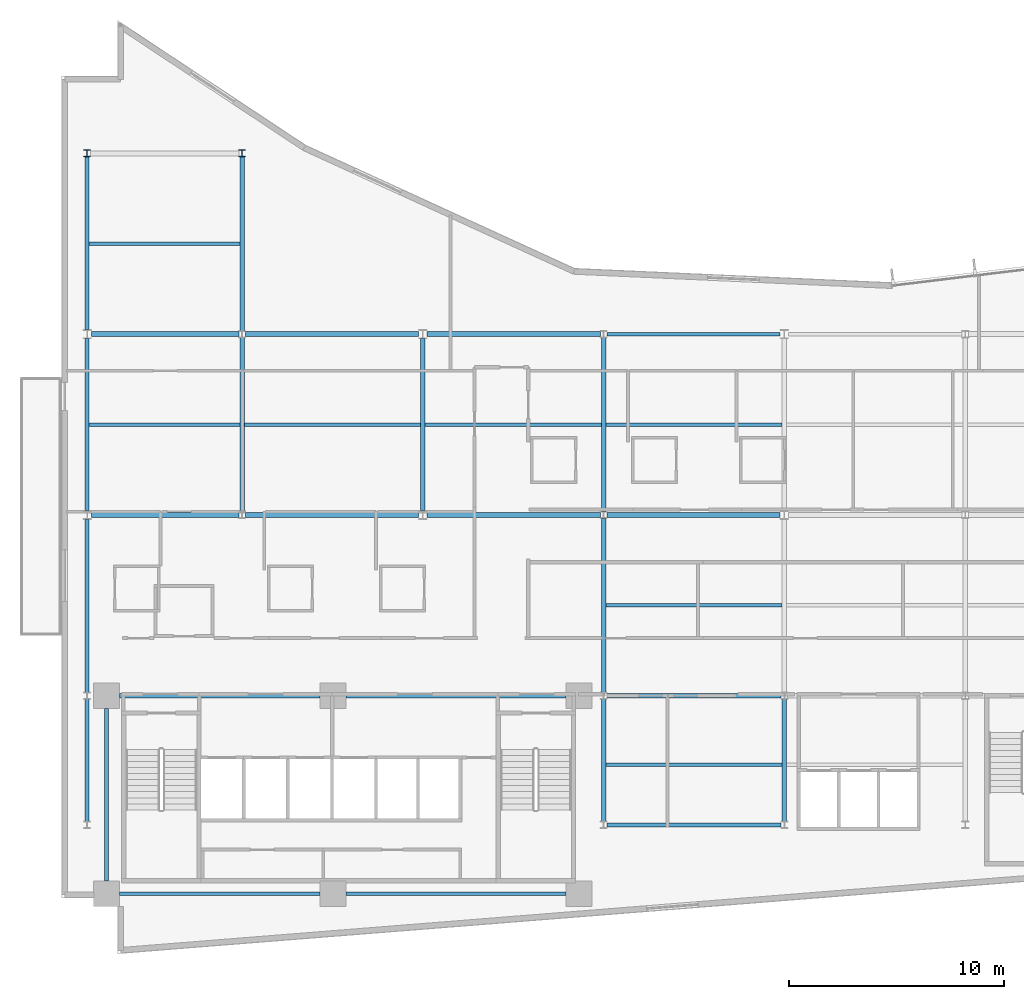
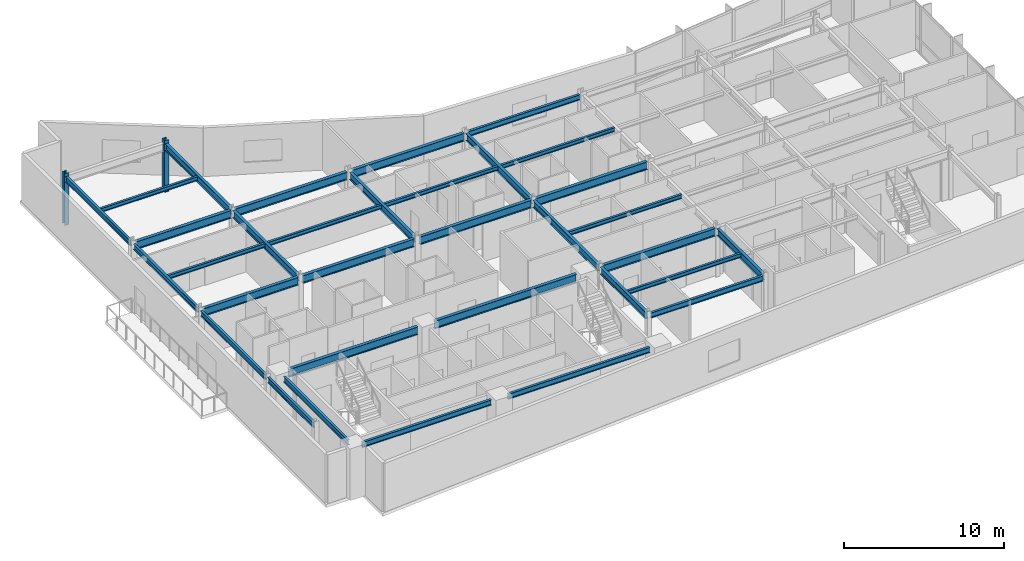
# One storey, part 3 of 18: 33 beams, 2 columns.
"""IFC4 building model written with IfcOpenShell, lengths in metres."""

from ifc_helpers import new_model, si_unit, direction, frame, origin, origin_2d, place, context, subcontext, project, spatial, i_section, extrude, material, material_profile, profile_set, type_object, element, save


model = new_model("IFC4")

# Units and contexts
model_context = context("Model", 3, precision=1e-05, world=origin(), true_north=direction((0.0, 1.0)))
body_context = subcontext(model_context, "Body", "Model", "MODEL_VIEW")
ifc_project = project(units=[si_unit("LENGTHUNIT", "METRE"), si_unit("AREAUNIT", "SQUARE_METRE"), si_unit("VOLUMEUNIT", "CUBIC_METRE"), si_unit("PLANEANGLEUNIT", "RADIAN"), si_unit("MASSUNIT", "GRAM", prefix="KILO")], contexts=[model_context])

# Site, building, storey
site_placement = place(None, origin())
site = spatial("IfcSite", under=ifc_project, at=site_placement, CompositionType="ELEMENT")
building_placement = place(site_placement, origin())
building = spatial("IfcBuilding", under=site, at=building_placement, Name="Varnakote Quay Hospital", CompositionType="ELEMENT")
storey_placement = place(building_placement, frame((0.0, 0.0, 123.10009765625)))
storey = spatial("IfcBuildingStorey", under=building, at=storey_placement, Name="L30", CompositionType="ELEMENT", Elevation=123.10009765625)

# Columns
ifc_material_1 = material(Name="Structural steel AS/NZS 3679.1 Grade 350 L0 (fy 340 MPa)", Category="steel")
ifc_material_profile_1 = material_profile(ifc_material_1, i_section(OverallWidth=0.30908203125, OverallDepth=0.321044921875, WebThickness=0.013916015625, FlangeThickness=0.021728515625, FilletRadius=0.0166015625, at=origin_2d()), Name="310UC137")
ifc_profile_set_1 = profile_set([ifc_material_profile_1], Name="Structural steel AS/NZS 3679.1 Grade 350 L0 (fy 340 MPa)")
column_type = type_object("IfcColumnType", Name="COL-STL-310UC137", PredefinedType="COLUMN", material=ifc_profile_set_1)
for number, where, z_axis, x_axis, name in (
    (1, (1.199951171875, 37.199951171875, 0.0), (0.0, 0.0, 1.0), (1.0, 0.0, 0.0), "L30 Structural Column C-1-37"),
    (2, (8.39990234375, 37.199951171875, 0.0), (0.0, 0.0, 1.0), (1.0, 0.0, 0.0), "L30 Structural Column C-8-37"),
):
    element("IfcColumn", number, at=place(storey_placement, frame(where, z_axis=z_axis, x_axis=x_axis)), inside=storey, type_object=column_type, Name=name, PredefinedType="COLUMN", context=body_context, shape_type="SweptSolid", body=[
        extrude(i_section(OverallWidth=0.30908203125, OverallDepth=0.321044921875, WebThickness=0.013916015625, FlangeThickness=0.021728515625, FilletRadius=0.0166015625, at=origin_2d()), origin(), (0.0, 0.0, 1.0), 3.949951171875),
    ])

# Beams
ifc_material_2 = material(Name="Structural steel AS/NZS 3679.1 Grade 350 L0 (fy 340 MPa)", Category="steel")
ifc_material_profile_2 = material_profile(ifc_material_2, i_section(OverallWidth=0.208984375, OverallDepth=0.532958984375, WebThickness=0.01025390625, FlangeThickness=0.015625, FilletRadius=0.013916015625, at=origin_2d()), Name="530UB92.4")
ifc_profile_set_2 = profile_set([ifc_material_profile_2], Name="Structural steel AS/NZS 3679.1 Grade 350 L0 (fy 340 MPa)")
beam_type_1 = type_object("IfcBeamType", Name="BM-STL-530UB92-4", PredefinedType="BEAM", material=ifc_profile_set_2)
beam_1_placement = place(storey_placement, frame((8.39990234375, 20.560546875, 3.443359375), z_axis=(0.0, 1.0, 0.0), x_axis=(-1.0, 0.0, 0.0)))
element("IfcBeam", 3, at=beam_1_placement, inside=storey, type_object=beam_type_1, Name="L30 Primary Tie Beam", PredefinedType="BEAM", context=body_context, shape_type="SweptSolid", body=[
    extrude(i_section(OverallWidth=0.208984375, OverallDepth=0.532958984375, WebThickness=0.01025390625, FlangeThickness=0.015625, FilletRadius=0.013916015625, at=origin_2d()), origin(), (0.0, 0.0, 1.0), 8.078857421875),
])
beam_2_placement = place(storey_placement, frame((8.39990234375, 28.96044921875, 3.443359375), z_axis=(0.0, 1.0, 0.0), x_axis=(-1.0, 0.0, 0.0)))
element("IfcBeam", 4, at=beam_2_placement, inside=storey, type_object=beam_type_1, Name="L30 Primary Tie Beam", PredefinedType="BEAM", context=body_context, shape_type="SweptSolid", body=[
    extrude(i_section(OverallWidth=0.208984375, OverallDepth=0.532958984375, WebThickness=0.01025390625, FlangeThickness=0.015625, FilletRadius=0.013916015625, at=origin_2d()), origin(), (0.0, 0.0, 1.0), 8.0791015625),
])
beam_3_placement = place(storey_placement, frame((16.800048828125, 20.610107421875, 3.443359375), z_axis=(0.0, 1.0, 0.0), x_axis=(-1.0, 0.0, 0.0)))
element("IfcBeam", 5, at=beam_3_placement, inside=storey, type_object=beam_type_1, Name="L30 Primary Tie Beam", PredefinedType="BEAM", context=body_context, shape_type="SweptSolid", body=[
    extrude(i_section(OverallWidth=0.208984375, OverallDepth=0.532958984375, WebThickness=0.01025390625, FlangeThickness=0.015625, FilletRadius=0.013916015625, at=origin_2d()), origin(), (0.0, 0.0, 1.0), 7.97998046875),
])
beam_4_placement = place(storey_placement, frame((25.199951171875, 6.160400390625, 3.443359375), z_axis=(0.0, 1.0, 0.0), x_axis=(-1.0, 0.0, 0.0)))
element("IfcBeam", 6, at=beam_4_placement, inside=storey, type_object=beam_type_1, Name="L30 Primary Tie Beam", PredefinedType="BEAM", context=body_context, shape_type="SweptSolid", body=[
    extrude(i_section(OverallWidth=0.208984375, OverallDepth=0.532958984375, WebThickness=0.01025390625, FlangeThickness=0.015625, FilletRadius=0.013916015625, at=origin_2d()), origin(), (0.0, 0.0, 1.0), 5.67919921875),
])
beam_5_placement = place(storey_placement, frame((25.199951171875, 12.160400390625, 3.443359375), z_axis=(0.0, 1.0, 0.0), x_axis=(-1.0, 0.0, 0.0)))
element("IfcBeam", 7, at=beam_5_placement, inside=storey, type_object=beam_type_1, Name="L30 Primary Tie Beam", PredefinedType="BEAM", context=body_context, shape_type="SweptSolid", body=[
    extrude(i_section(OverallWidth=0.208984375, OverallDepth=0.532958984375, WebThickness=0.01025390625, FlangeThickness=0.015625, FilletRadius=0.013916015625, at=origin_2d()), origin(), (0.0, 0.0, 1.0), 8.0791015625),
])
beam_6_placement = place(storey_placement, frame((25.199951171875, 20.560546875, 3.443359375), z_axis=(0.0, 1.0, 0.0), x_axis=(-1.0, 0.0, 0.0)))
element("IfcBeam", 8, at=beam_6_placement, inside=storey, type_object=beam_type_1, Name="L30 Primary Tie Beam", PredefinedType="BEAM", context=body_context, shape_type="SweptSolid", body=[
    extrude(i_section(OverallWidth=0.208984375, OverallDepth=0.532958984375, WebThickness=0.01025390625, FlangeThickness=0.015625, FilletRadius=0.013916015625, at=origin_2d()), origin(), (0.0, 0.0, 1.0), 8.078857421875),
])
beam_7_placement = place(storey_placement, frame((33.60009765625, 6.160400390625, 3.443359375), z_axis=(0.0, 1.0, 0.0), x_axis=(-1.0, 0.0, 0.0)))
element("IfcBeam", 9, at=beam_7_placement, inside=storey, type_object=beam_type_1, Name="L30 Primary Tie Beam", PredefinedType="BEAM", context=body_context, shape_type="SweptSolid", body=[
    extrude(i_section(OverallWidth=0.208984375, OverallDepth=0.532958984375, WebThickness=0.01025390625, FlangeThickness=0.015625, FilletRadius=0.013916015625, at=origin_2d()), origin(), (0.0, 0.0, 1.0), 5.67919921875),
])
ifc_material_3 = material(Name="Structural steel AS/NZS 3679.1 Grade 350 L0 (fy 340 MPa)", Category="steel")
ifc_material_profile_3 = material_profile(ifc_material_3, i_section(OverallWidth=0.22802734375, OverallDepth=0.60205078125, WebThickness=0.010498046875, FlangeThickness=0.014892578125, FilletRadius=0.013916015625, at=origin_2d()), Name="610UB101")
ifc_profile_set_3 = profile_set([ifc_material_profile_3], Name="Structural steel AS/NZS 3679.1 Grade 350 L0 (fy 340 MPa)")
beam_type_2 = type_object("IfcBeamType", Name="BM-STL-610UB101", PredefinedType="BEAM", material=ifc_profile_set_3)
beam_8_placement = place(storey_placement, frame((2.699951171875, 12.0, 3.408935546875), z_axis=(1.0, 0.0, 0.0), x_axis=(0.0, 1.0, 0.0)))
element("IfcBeam", 10, at=beam_8_placement, inside=storey, type_object=beam_type_2, Name="L30 Primary Floor Beam", PredefinedType="BEAM", context=body_context, shape_type="SweptSolid", body=[
    extrude(i_section(OverallWidth=0.22802734375, OverallDepth=0.60205078125, WebThickness=0.010498046875, FlangeThickness=0.014892578125, FilletRadius=0.013916015625, at=origin_2d()), origin(), (0.0, 0.0, 1.0), 9.320068359375),
])
beam_9_placement = place(storey_placement, frame((13.219970703125, 12.0, 3.408935546875), z_axis=(1.0, 0.0, 0.0), x_axis=(0.0, 1.0, 0.0)))
element("IfcBeam", 11, at=beam_9_placement, inside=storey, type_object=beam_type_2, Name="L30 Primary Floor Beam", PredefinedType="BEAM", context=body_context, shape_type="SweptSolid", body=[
    extrude(i_section(OverallWidth=0.22802734375, OverallDepth=0.60205078125, WebThickness=0.010498046875, FlangeThickness=0.014892578125, FilletRadius=0.013916015625, at=origin_2d()), origin(), (0.0, 0.0, 1.0), 10.22998046875),
])
beam_10_placement = place(storey_placement, frame((25.3544921875, 12.0, 3.408935546875), z_axis=(1.0, 0.0, 0.0), x_axis=(0.0, 1.0, 0.0)))
element("IfcBeam", 12, at=beam_10_placement, inside=storey, type_object=beam_type_2, Name="L30 Primary Floor Beam", PredefinedType="BEAM", context=body_context, shape_type="SweptSolid", body=[
    extrude(i_section(OverallWidth=0.22802734375, OverallDepth=0.60205078125, WebThickness=0.010498046875, FlangeThickness=0.014892578125, FilletRadius=0.013916015625, at=origin_2d()), origin(), (0.0, 0.0, 1.0), 8.091064453125),
])
beam_11_placement = place(storey_placement, frame((1.39990234375, 20.39990234375, 3.408935546875), z_axis=(1.0, 0.0, 0.0), x_axis=(0.0, 1.0, 0.0)))
element("IfcBeam", 13, at=beam_11_placement, inside=storey, type_object=beam_type_2, Name="L30 Primary Floor Beam", PredefinedType="BEAM", context=body_context, shape_type="SweptSolid", body=[
    extrude(i_section(OverallWidth=0.22802734375, OverallDepth=0.60205078125, WebThickness=0.010498046875, FlangeThickness=0.014892578125, FilletRadius=0.013916015625, at=origin_2d()), origin(), (0.0, 0.0, 1.0), 6.845703125),
])
beam_12_placement = place(storey_placement, frame((8.554443359375, 20.39990234375, 3.408935546875), z_axis=(1.0, 0.0, 0.0), x_axis=(0.0, 1.0, 0.0)))
element("IfcBeam", 14, at=beam_12_placement, inside=storey, type_object=beam_type_2, Name="L30 Primary Floor Beam", PredefinedType="BEAM", context=body_context, shape_type="SweptSolid", body=[
    extrude(i_section(OverallWidth=0.22802734375, OverallDepth=0.60205078125, WebThickness=0.010498046875, FlangeThickness=0.014892578125, FilletRadius=0.013916015625, at=origin_2d()), origin(), (0.0, 0.0, 1.0), 8.045654296875),
])
for number, where, z_axis, x_axis, name in (
    (15, (17.0, 20.39990234375, 3.408935546875), (1.0, 0.0, 0.0), (0.0, 1.0, 0.0), "L30 Primary Floor Beam"),
    (16, (25.3544921875, 20.39990234375, 3.408935546875), (1.0, 0.0, 0.0), (0.0, 1.0, 0.0), "L30 Primary Floor Beam"),
):
    element("IfcBeam", number, at=place(storey_placement, frame(where, z_axis=z_axis, x_axis=x_axis)), inside=storey, type_object=beam_type_2, Name=name, PredefinedType="BEAM", context=body_context, shape_type="SweptSolid", body=[
        extrude(i_section(OverallWidth=0.22802734375, OverallDepth=0.60205078125, WebThickness=0.010498046875, FlangeThickness=0.014892578125, FilletRadius=0.013916015625, at=origin_2d()), origin(), (0.0, 0.0, 1.0), 8.04541015625),
    ])
beam_13_placement = place(storey_placement, frame((1.39990234375, 28.800048828125, 3.408935546875), z_axis=(1.0, 0.0, 0.0), x_axis=(0.0, 1.0, 0.0)))
element("IfcBeam", 17, at=beam_13_placement, inside=storey, type_object=beam_type_2, Name="L30 Primary Floor Beam", PredefinedType="BEAM", context=body_context, shape_type="SweptSolid", body=[
    extrude(i_section(OverallWidth=0.22802734375, OverallDepth=0.60205078125, WebThickness=0.010498046875, FlangeThickness=0.014892578125, FilletRadius=0.013916015625, at=origin_2d()), origin(), (0.0, 0.0, 1.0), 6.845703125),
])
beam_14_placement = place(storey_placement, frame((8.554443359375, 28.800048828125, 3.408935546875), z_axis=(1.0, 0.0, 0.0), x_axis=(0.0, 1.0, 0.0)))
element("IfcBeam", 18, at=beam_14_placement, inside=storey, type_object=beam_type_2, Name="L30 Primary Floor Beam", PredefinedType="BEAM", context=body_context, shape_type="SweptSolid", body=[
    extrude(i_section(OverallWidth=0.22802734375, OverallDepth=0.60205078125, WebThickness=0.010498046875, FlangeThickness=0.014892578125, FilletRadius=0.013916015625, at=origin_2d()), origin(), (0.0, 0.0, 1.0), 8.045654296875),
])
beam_15_placement = place(storey_placement, frame((17.0, 28.800048828125, 3.408935546875), z_axis=(1.0, 0.0, 0.0), x_axis=(0.0, 1.0, 0.0)))
element("IfcBeam", 19, at=beam_15_placement, inside=storey, type_object=beam_type_2, Name="L30 Primary Floor Beam", PredefinedType="BEAM", context=body_context, shape_type="SweptSolid", body=[
    extrude(i_section(OverallWidth=0.22802734375, OverallDepth=0.60205078125, WebThickness=0.010498046875, FlangeThickness=0.014892578125, FilletRadius=0.013916015625, at=origin_2d()), origin(), (0.0, 0.0, 1.0), 8.04541015625),
])
ifc_material_4 = material(Name="Structural steel AS/NZS 3679.1 Grade 350 L0 (fy 340 MPa)", Category="steel")
ifc_material_profile_4 = material_profile(ifc_material_4, i_section(OverallWidth=0.1650390625, OverallDepth=0.303955078125, WebThickness=0.006103515625, FlangeThickness=0.01025390625, FilletRadius=0.011474609375, at=origin_2d()), Name="310UB40.4")
ifc_profile_set_4 = profile_set([ifc_material_profile_4], Name="Structural steel AS/NZS 3679.1 Grade 350 L0 (fy 340 MPa)")
beam_type_3 = type_object("IfcBeamType", Name="JST-STL-310UB40-4", PredefinedType="JOIST", material=ifc_profile_set_4)
for number, where, z_axis, x_axis, name in (
    (20, (25.304443359375, 8.800048828125, 3.557861328125), (1.0, 0.0, 0.0), (0.0, 1.0, 0.0), "L30 Composite Floor Joist"),
    (21, (25.304443359375, 16.199951171875, 3.557861328125), (1.0, 0.0, 0.0), (0.0, 1.0, 0.0), "L30 Composite Floor Joist"),
):
    element("IfcBeam", number, at=place(storey_placement, frame(where, z_axis=z_axis, x_axis=x_axis)), inside=storey, type_object=beam_type_3, Name=name, PredefinedType="JOIST", context=body_context, shape_type="SweptSolid", body=[
        extrude(i_section(OverallWidth=0.1650390625, OverallDepth=0.303955078125, WebThickness=0.006103515625, FlangeThickness=0.01025390625, FilletRadius=0.011474609375, at=origin_2d()), origin(), (0.0, 0.0, 1.0), 8.191162109375),
    ])
beam_16_placement = place(storey_placement, frame((1.2890625, 24.60009765625, 3.557861328125), z_axis=(1.0, 0.0, 0.0), x_axis=(0.0, 1.0, 0.0)))
element("IfcBeam", 22, at=beam_16_placement, inside=storey, type_object=beam_type_3, Name="L30 Composite Floor Joist", PredefinedType="JOIST", context=body_context, shape_type="SweptSolid", body=[
    extrude(i_section(OverallWidth=0.1650390625, OverallDepth=0.303955078125, WebThickness=0.006103515625, FlangeThickness=0.01025390625, FilletRadius=0.011474609375, at=origin_2d()), origin(), (0.0, 0.0, 1.0), 7.00634765625),
])
beam_17_placement = place(storey_placement, frame((8.50439453125, 24.60009765625, 3.557861328125), z_axis=(1.0, 0.0, 0.0), x_axis=(0.0, 1.0, 0.0)))
element("IfcBeam", 23, at=beam_17_placement, inside=storey, type_object=beam_type_3, Name="L30 Composite Floor Joist", PredefinedType="JOIST", context=body_context, shape_type="SweptSolid", body=[
    extrude(i_section(OverallWidth=0.1650390625, OverallDepth=0.303955078125, WebThickness=0.006103515625, FlangeThickness=0.01025390625, FilletRadius=0.011474609375, at=origin_2d()), origin(), (0.0, 0.0, 1.0), 8.191162109375),
])
beam_18_placement = place(storey_placement, frame((16.904541015625, 24.60009765625, 3.557861328125), z_axis=(1.0, 0.0, 0.0), x_axis=(0.0, 1.0, 0.0)))
element("IfcBeam", 24, at=beam_18_placement, inside=storey, type_object=beam_type_3, Name="L30 Composite Floor Joist", PredefinedType="JOIST", context=body_context, shape_type="SweptSolid", body=[
    extrude(i_section(OverallWidth=0.1650390625, OverallDepth=0.303955078125, WebThickness=0.006103515625, FlangeThickness=0.01025390625, FilletRadius=0.011474609375, at=origin_2d()), origin(), (0.0, 0.0, 1.0), 8.19091796875),
])
beam_19_placement = place(storey_placement, frame((25.304443359375, 24.60009765625, 3.557861328125), z_axis=(1.0, 0.0, 0.0), x_axis=(0.0, 1.0, 0.0)))
element("IfcBeam", 25, at=beam_19_placement, inside=storey, type_object=beam_type_3, Name="L30 Composite Floor Joist", PredefinedType="JOIST", context=body_context, shape_type="SweptSolid", body=[
    extrude(i_section(OverallWidth=0.1650390625, OverallDepth=0.303955078125, WebThickness=0.006103515625, FlangeThickness=0.01025390625, FilletRadius=0.011474609375, at=origin_2d()), origin(), (0.0, 0.0, 1.0), 8.191162109375),
])
beam_20_placement = place(storey_placement, frame((1.2890625, 33.0, 3.557861328125), z_axis=(1.0, 0.0, 0.0), x_axis=(0.0, 1.0, 0.0)))
element("IfcBeam", 26, at=beam_20_placement, inside=storey, type_object=beam_type_3, Name="L30 Composite Floor Joist", PredefinedType="JOIST", context=body_context, shape_type="SweptSolid", body=[
    extrude(i_section(OverallWidth=0.1650390625, OverallDepth=0.303955078125, WebThickness=0.006103515625, FlangeThickness=0.01025390625, FilletRadius=0.011474609375, at=origin_2d()), origin(), (0.0, 0.0, 1.0), 7.00634765625),
])
ifc_material_5 = material(Name="Structural steel AS/NZS 3679.1 Grade 350 L0 (fy 340 MPa)", Category="steel")
ifc_material_profile_5 = material_profile(ifc_material_5, i_section(OverallWidth=0.177978515625, OverallDepth=0.403076171875, WebThickness=0.007568359375, FlangeThickness=0.010986328125, FilletRadius=0.011474609375, at=origin_2d()), Name="410UB53.7")
ifc_profile_set_5 = profile_set([ifc_material_profile_5], Name="Structural steel AS/NZS 3679.1 Grade 350 L0 (fy 340 MPa)")
beam_type_4 = type_object("IfcBeamType", Name="SPN-STL-410UB53-7", PredefinedType="SPANDREL", material=ifc_profile_set_5)
beam_21_placement = place(storey_placement, frame((1.199951171875, 6.160400390625, 3.50830078125), z_axis=(0.0, 1.0, 0.0), x_axis=(-1.0, 0.0, 0.0)))
element("IfcBeam", 27, at=beam_21_placement, inside=storey, type_object=beam_type_4, Name="L30 Perimeter Spandrel Beam", PredefinedType="SPANDREL", context=body_context, shape_type="SweptSolid", body=[
    extrude(i_section(OverallWidth=0.177978515625, OverallDepth=0.403076171875, WebThickness=0.007568359375, FlangeThickness=0.010986328125, FilletRadius=0.011474609375, at=origin_2d()), origin(), (0.0, 0.0, 1.0), 5.67919921875),
])
beam_22_placement = place(storey_placement, frame((1.199951171875, 12.160400390625, 3.50830078125), z_axis=(0.0, 1.0, 0.0), x_axis=(-1.0, 0.0, 0.0)))
element("IfcBeam", 28, at=beam_22_placement, inside=storey, type_object=beam_type_4, Name="L30 Perimeter Spandrel Beam", PredefinedType="SPANDREL", context=body_context, shape_type="SweptSolid", body=[
    extrude(i_section(OverallWidth=0.177978515625, OverallDepth=0.403076171875, WebThickness=0.007568359375, FlangeThickness=0.010986328125, FilletRadius=0.011474609375, at=origin_2d()), origin(), (0.0, 0.0, 1.0), 8.029541015625),
])
beam_23_placement = place(storey_placement, frame((1.199951171875, 20.610107421875, 3.50830078125), z_axis=(0.0, 1.0, 0.0), x_axis=(-1.0, 0.0, 0.0)))
element("IfcBeam", 29, at=beam_23_placement, inside=storey, type_object=beam_type_4, Name="L30 Perimeter Spandrel Beam", PredefinedType="SPANDREL", context=body_context, shape_type="SweptSolid", body=[
    extrude(i_section(OverallWidth=0.177978515625, OverallDepth=0.403076171875, WebThickness=0.007568359375, FlangeThickness=0.010986328125, FilletRadius=0.011474609375, at=origin_2d()), origin(), (0.0, 0.0, 1.0), 7.97998046875),
])
beam_24_placement = place(storey_placement, frame((1.199951171875, 29.010009765625, 3.50830078125), z_axis=(0.0, 1.0, 0.0), x_axis=(-1.0, 0.0, 0.0)))
element("IfcBeam", 30, at=beam_24_placement, inside=storey, type_object=beam_type_4, Name="L30 Perimeter Spandrel Beam", PredefinedType="SPANDREL", context=body_context, shape_type="SweptSolid", body=[
    extrude(i_section(OverallWidth=0.177978515625, OverallDepth=0.403076171875, WebThickness=0.007568359375, FlangeThickness=0.010986328125, FilletRadius=0.011474609375, at=origin_2d()), origin(), (0.0, 0.0, 1.0), 8.029541015625),
])
beam_25_placement = place(storey_placement, frame((2.10009765625, 3.39990234375, 3.50830078125), z_axis=(0.0, 1.0, 0.0), x_axis=(-1.0, 0.0, 0.0)))
element("IfcBeam", 31, at=beam_25_placement, inside=storey, type_object=beam_type_4, Name="L30 Perimeter Spandrel Beam", PredefinedType="SPANDREL", context=body_context, shape_type="SweptSolid", body=[
    extrude(i_section(OverallWidth=0.177978515625, OverallDepth=0.403076171875, WebThickness=0.007568359375, FlangeThickness=0.010986328125, FilletRadius=0.011474609375, at=origin_2d()), origin(), (0.0, 0.0, 1.0), 8.0),
])
ifc_material_6 = material(Name="Structural steel AS/NZS 3679.1 Grade 350 L0 (fy 340 MPa)", Category="steel")
ifc_material_profile_6 = material_profile(ifc_material_6, i_section(OverallWidth=0.177978515625, OverallDepth=0.406005859375, WebThickness=0.0078125, FlangeThickness=0.0126953125, FilletRadius=0.011474609375, at=origin_2d()), Name="410UB59.7")
ifc_profile_set_6 = profile_set([ifc_material_profile_6], Name="Structural steel AS/NZS 3679.1 Grade 350 L0 (fy 340 MPa)")
beam_type_5 = type_object("IfcBeamType", Name="SPN-STL-410UB59-7", PredefinedType="SPANDREL", material=ifc_profile_set_6)
beam_26_placement = place(storey_placement, frame((2.699951171875, 2.800048828125, 3.5068359375), z_axis=(1.0, 0.0, 0.0), x_axis=(0.0, 1.0, 0.0)))
element("IfcBeam", 32, at=beam_26_placement, inside=storey, type_object=beam_type_5, Name="L30 Perimeter Spandrel Beam", PredefinedType="SPANDREL", context=body_context, shape_type="SweptSolid", body=[
    extrude(i_section(OverallWidth=0.177978515625, OverallDepth=0.406005859375, WebThickness=0.0078125, FlangeThickness=0.0126953125, FilletRadius=0.011474609375, at=origin_2d()), origin(), (0.0, 0.0, 1.0), 9.320068359375),
])
beam_27_placement = place(storey_placement, frame((13.219970703125, 2.800048828125, 3.5068359375), z_axis=(1.0, 0.0, 0.0), x_axis=(0.0, 1.0, 0.0)))
element("IfcBeam", 33, at=beam_27_placement, inside=storey, type_object=beam_type_5, Name="L30 Perimeter Spandrel Beam", PredefinedType="SPANDREL", context=body_context, shape_type="SweptSolid", body=[
    extrude(i_section(OverallWidth=0.177978515625, OverallDepth=0.406005859375, WebThickness=0.0078125, FlangeThickness=0.0126953125, FilletRadius=0.011474609375, at=origin_2d()), origin(), (0.0, 0.0, 1.0), 10.22998046875),
])
beam_28_placement = place(storey_placement, frame((25.3544921875, 6.0, 3.5068359375), z_axis=(1.0, 0.0, 0.0), x_axis=(0.0, 1.0, 0.0)))
element("IfcBeam", 34, at=beam_28_placement, inside=storey, type_object=beam_type_5, Name="L30 Perimeter Spandrel Beam", PredefinedType="SPANDREL", context=body_context, shape_type="SweptSolid", body=[
    extrude(i_section(OverallWidth=0.177978515625, OverallDepth=0.406005859375, WebThickness=0.0078125, FlangeThickness=0.0126953125, FilletRadius=0.011474609375, at=origin_2d()), origin(), (0.0, 0.0, 1.0), 8.091064453125),
])
beam_29_placement = place(storey_placement, frame((25.3544921875, 28.800048828125, 3.5068359375), z_axis=(1.0, 0.0, 0.0), x_axis=(0.0, 1.0, 0.0)))
element("IfcBeam", 35, at=beam_29_placement, inside=storey, type_object=beam_type_5, Name="L30 Perimeter Spandrel Beam", PredefinedType="SPANDREL", context=body_context, shape_type="SweptSolid", body=[
    extrude(i_section(OverallWidth=0.177978515625, OverallDepth=0.406005859375, WebThickness=0.0078125, FlangeThickness=0.0126953125, FilletRadius=0.011474609375, at=origin_2d()), origin(), (0.0, 0.0, 1.0), 8.04541015625),
])

save(model, "model.ifc")
